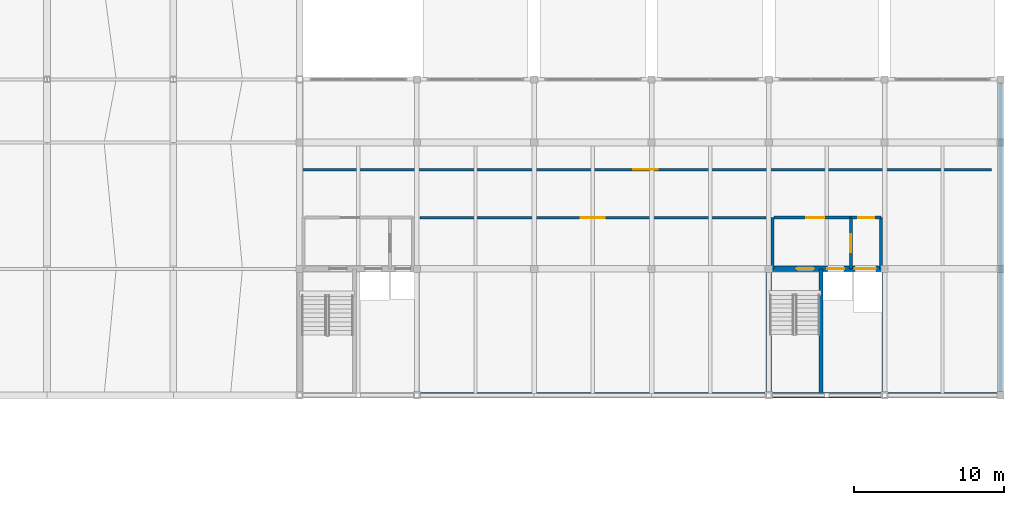
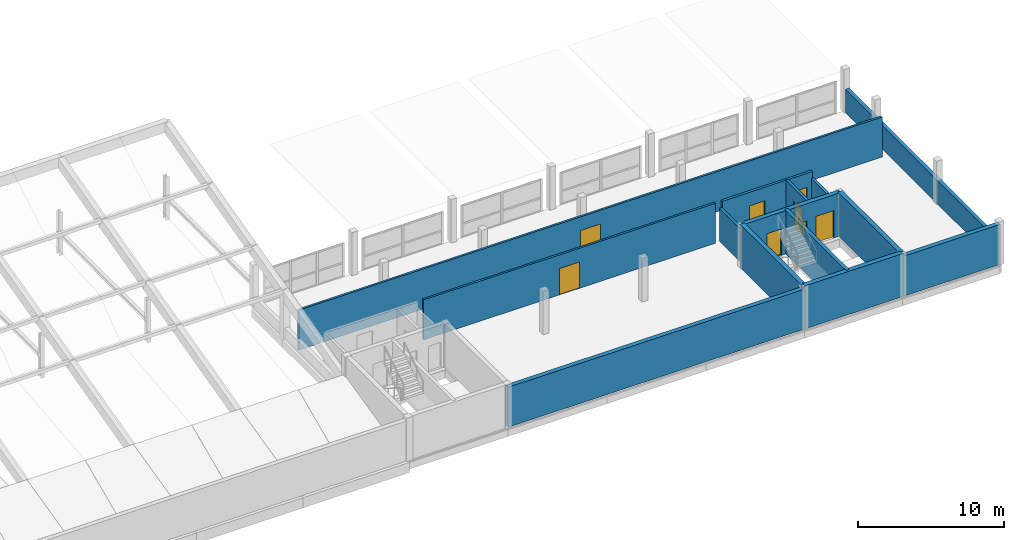
# One storey, part 43 of 51: 15 walls, 8 doors, 8 openings.
"""IFC4 building model written with IfcOpenShell, lengths in metres."""

import ifcopenshell
import ifcopenshell.guid

model = None  # the IFC model being written
_history = None  # IfcOwnerHistory: only IFC2X3 demands one
_inside = {}  # id of a spatial element -> (the spatial element, [elements in it])
_under = {}  # id of a project, library or spatial element -> (it, [spatial elements below it])
_declared = {}  # id of a project -> (the project, [libraries it declares])
_typed = {}  # id of a type object -> (the type object, [elements of that type])
_made_of = {}  # id of a material, layer set ... -> (it, [elements and type objects made of it])


def new_model(schema):
    """Start an empty IFC model of exactly this schema.

    Asked for "IFC4X3", IfcOpenShell would pick the latest addendum, in which some entities
    have other attributes; the version numbers below select the first issue.
    IFC2X3 requires an IfcOwnerHistory on every rooted entity: one is made here for all.
    """
    global model, _history
    if schema == "IFC4X3":
        model = ifcopenshell.file(schema_version=(4, 3, 0, 0))
    else:
        model = ifcopenshell.file(schema=schema)
    _inside.clear()
    _under.clear()
    _declared.clear()
    _typed.clear()
    _made_of.clear()
    _history = None
    if model.schema == "IFC2X3":
        org = make("IfcOrganization", Name="unknown")
        user = make(
            "IfcPersonAndOrganization",
            ThePerson=make("IfcPerson", FamilyName="unknown"),
            TheOrganization=org,
        )
        app = make(
            "IfcApplication",
            ApplicationDeveloper=org,
            Version="unknown",
            ApplicationFullName="unknown",
            ApplicationIdentifier="unknown",
        )
        _history = make(
            "IfcOwnerHistory",
            OwningUser=user,
            OwningApplication=app,
            ChangeAction="ADDED",
            CreationDate=0,
        )
    return model


def make(cls, **values):
    """One entity of the class cls with the attributes given. An attribute that is None is left unset."""
    return model.create_entity(
        cls, **{name: value for name, value in values.items() if value is not None}
    )


def rooted(cls, **values):
    """An entity with a GlobalId (a new one), such as an element, a storey or a relation."""
    return make(cls, GlobalId=ifcopenshell.guid.new(), OwnerHistory=_history, **values)


def si_unit(unit_type, name, prefix=None):
    """IfcSIUnit, for example si_unit("LENGTHUNIT", "METRE", prefix="MILLI")."""
    return make("IfcSIUnit", UnitType=unit_type, Prefix=prefix, Name=name)


def assignment(units):
    """IfcUnitAssignment: the units of a project."""
    return None if units is None else make("IfcUnitAssignment", Units=units)


def point(xyz):
    """IfcCartesianPoint."""
    return None if xyz is None else make("IfcCartesianPoint", Coordinates=xyz)


def direction(xyz):
    """IfcDirection."""
    return None if xyz is None else make("IfcDirection", DirectionRatios=xyz)


def frame(location, z_axis=None, x_axis=None):
    """IfcAxis2Placement3D, a coordinate frame: its origin and axes. An axis left out is left unset."""
    return make(
        "IfcAxis2Placement3D",
        Location=point(location),
        Axis=direction(z_axis),
        RefDirection=direction(x_axis),
    )


def frame_2d(location, x_axis=None):
    """IfcAxis2Placement2D, a coordinate frame in the plane: its origin and x axis."""
    return make(
        "IfcAxis2Placement2D", Location=point(location), RefDirection=direction(x_axis)
    )


def origin():
    """The frame at (0, 0, 0) with its axes left unset."""
    return frame((0.0, 0.0, 0.0))


def place(relative_to, where):
    """IfcLocalPlacement: puts the frame where relative to a parent placement (None: the world)."""
    return make(
        "IfcLocalPlacement", PlacementRelTo=relative_to, RelativePlacement=where
    )


def context(
    kind, dimensions, precision=None, world=None, true_north=None, identifier=None
):
    """IfcGeometricRepresentationContext, for example the 3D "Model" context."""
    return make(
        "IfcGeometricRepresentationContext",
        ContextIdentifier=identifier,
        ContextType=kind,
        CoordinateSpaceDimension=dimensions,
        Precision=precision,
        WorldCoordinateSystem=world,
        TrueNorth=true_north,
    )


def subcontext(parent, identifier, kind, view, scale=None):
    """IfcGeometricRepresentationSubContext, for example "Body" below "Model"."""
    return make(
        "IfcGeometricRepresentationSubContext",
        ContextIdentifier=identifier,
        ContextType=kind,
        ParentContext=parent,
        TargetScale=scale,
        TargetView=view,
    )


def project(units=None, contexts=None):
    """IfcProject with its units and contexts."""
    return rooted(
        "IfcProject",
        Name="project",
        RepresentationContexts=contexts,
        UnitsInContext=assignment(units),
    )


def spatial(cls, under=None, at=None, **own):
    """A site, building, storey or space (cls), placed at a placement, below another one or the project."""
    s = rooted(cls, ObjectPlacement=at, **own)
    if under is not None:
        _under.setdefault(under.id(), (under, []))[1].append(s)
    return s


def profile(cls, at=None, kind="AREA", **sizes):
    """A parametric profile (cls). Its sizes go by their IFC names, for example OverallWidth=200.0."""
    return make(cls, ProfileType=kind, Position=at, **sizes)


def rectangle(**sizes):
    """IfcRectangleProfileDef."""
    return profile("IfcRectangleProfileDef", **sizes)


def extrude(swept, where, along, depth):
    """IfcExtrudedAreaSolid: the profile swept, set in the frame where, extruded along a direction by depth."""
    return make(
        "IfcExtrudedAreaSolid",
        SweptArea=swept,
        Position=where,
        ExtrudedDirection=direction(along),
        Depth=depth,
    )


def shape(context_of_items, identifier, shape_type, items):
    """IfcShapeRepresentation: the items that make up one representation, for example the "Body"."""
    return make(
        "IfcShapeRepresentation",
        ContextOfItems=context_of_items,
        RepresentationIdentifier=identifier,
        RepresentationType=shape_type,
        Items=items,
    )


def material(Name=None, Category=None):
    """IfcMaterial."""
    return make("IfcMaterial", Name=Name, Category=Category)


def layer(
    of_material, thickness, ventilated=None, Name=None, Category=None, Priority=None
):
    """IfcMaterialLayer: one layer of a wall or slab, of a material (None: an air gap)."""
    return make(
        "IfcMaterialLayer",
        Material=of_material,
        LayerThickness=thickness,
        IsVentilated=ventilated,
        Name=Name,
        Category=Category,
        Priority=Priority,
    )


def layer_set(layers, Name=None):
    """IfcMaterialLayerSet."""
    return make("IfcMaterialLayerSet", MaterialLayers=layers, LayerSetName=Name)


def made_of(thing, what):
    """Note that an element or type object is made of a material, layer set ...; save() writes the relation."""
    if what is not None:
        _made_of.setdefault(what.id(), (what, []))[1].append(thing)
    return thing


def type_object(cls, material=None, **own):
    """A type object (cls), such as IfcWallType, which elements share."""
    return made_of(rooted(cls, **own), material)


def element(
    cls,
    number,
    at=None,
    inside=None,
    cuts=None,
    type_object=None,
    material=None,
    context=None,
    identifier="Body",
    shape_type=None,
    held_by="IfcProductDefinitionShape",
    body=None,
    shapes=None,
    **own,
):
    """One element of the class cls, such as IfcWall. Its Tag is "e" and its number.

    at: its placement. inside: the storey or other place that contains it. cuts: it is an
    opening in that element (IfcRelVoidsElement). A single representation is given by context,
    identifier, shape_type and body (its items); several are given by shapes. held_by: the class
    of the entity that holds the representations. save() writes the other relations.
    """
    e = rooted(cls, Tag="e%d" % number, ObjectPlacement=at, **own)
    if body is not None:
        shapes = [shape(context, identifier, shape_type, body)]
    if shapes is not None:
        e.Representation = make(held_by, Representations=shapes)
    if inside is not None:
        _inside.setdefault(inside.id(), (inside, []))[1].append(e)
    if cuts is not None:
        rooted(
            "IfcRelVoidsElement", RelatingBuildingElement=cuts, RelatedOpeningElement=e
        )
    if type_object is not None:
        _typed.setdefault(type_object.id(), (type_object, []))[1].append(e)
    return made_of(e, material)


def fill(opening, filler):
    """IfcRelFillsElement: the door or window that sits in an opening."""
    return rooted(
        "IfcRelFillsElement",
        RelatingOpeningElement=opening,
        RelatedBuildingElement=filler,
    )


def aggregate(whole, parts):
    """IfcRelAggregates: a whole, such as a stair, and the parts it consists of."""
    return rooted("IfcRelAggregates", RelatingObject=whole, RelatedObjects=parts)


def save(model, path):
    """Write the relations noted so far, then the file.

    IfcRelAggregates (storeys below a building ...), IfcRelContainedInSpatialStructure (elements
    in a storey), IfcRelDefinesByType, IfcRelAssociatesMaterial and IfcRelDeclares: one each for
    every whole, place, type object, material and project.
    """
    for whole, parts in _under.values():
        aggregate(whole, parts)
    for where, things in _inside.values():
        rooted(
            "IfcRelContainedInSpatialStructure",
            RelatedElements=things,
            RelatingStructure=where,
        )
    for kind, things in _typed.values():
        rooted("IfcRelDefinesByType", RelatedObjects=things, RelatingType=kind)
    for what, things in _made_of.values():
        rooted("IfcRelAssociatesMaterial", RelatedObjects=things, RelatingMaterial=what)
    for by, libraries in _declared.values():
        rooted("IfcRelDeclares", RelatingContext=by, RelatedDefinitions=libraries)
    model.write(path)


model = new_model("IFC4")

# Units and contexts
model_context = context("Model", 3, precision=1e-05, world=origin(), true_north=direction((0.0, 1.0)))
body_context = subcontext(model_context, "Body", "Model", "MODEL_VIEW")
ifc_project = project(units=[si_unit("LENGTHUNIT", "METRE"), si_unit("AREAUNIT", "SQUARE_METRE"), si_unit("VOLUMEUNIT", "CUBIC_METRE"), si_unit("PLANEANGLEUNIT", "RADIAN"), si_unit("MASSUNIT", "GRAM", prefix="KILO")], contexts=[model_context])

# Site, building, storey
site_placement = place(None, origin())
site = spatial("IfcSite", under=ifc_project, at=site_placement, CompositionType="ELEMENT")
building_placement = place(site_placement, origin())
building = spatial("IfcBuilding", under=site, at=building_placement, Name="Vharandega Faculty of Natural Sciences", CompositionType="ELEMENT")
storey_placement = place(building_placement, frame((0.0, 0.0, 18.0)))
storey = spatial("IfcBuildingStorey", under=building, at=storey_placement, Name="L04", CompositionType="ELEMENT", Elevation=18.0)

# Walls
ifc_material_1 = material(Name="Concrete C40/50", Category="concrete")
ifc_layer_1 = layer(ifc_material_1, 0.35009765625, Name="Concrete C40/50")
ifc_layer_set_1 = layer_set([ifc_layer_1], Name="Concrete C40/50")
wall_type_1 = type_object("IfcWallType", Name="Core Shear Wall 350", PredefinedType="SHEAR", material=ifc_layer_set_1)
wall_1_placement = place(storey_placement, frame((146.0, 64.0, 0.0), z_axis=(0.0, 0.0, 1.0), x_axis=(1.0, 0.0, 0.0)))
element("IfcWall", 1, at=wall_1_placement, inside=storey, type_object=wall_type_1, Name="Interior Wall CW-C2-L04-S", PredefinedType="SHEAR", context=body_context, shape_type="SweptSolid", body=[
    extrude(rectangle(XDim=7.699951171875, YDim=0.35009765625, at=frame_2d((3.85009765625, 0.0))), origin(), (0.0, 0.0, 1.0), 3.60009765625),
])
for number, where, z_axis, x_axis, name in (
    (2, (146.0, 64.0, 0.0), (0.0, 0.0, 1.0), (0.0, 1.0, 0.0), "Interior Wall CW-C2-L04-W"),
    (3, (153.699951171875, 64.0, 0.0), (0.0, 0.0, 1.0), (0.0, 1.0, 0.0), "Interior Wall CW-C2-L04-E"),
):
    element("IfcWall", number, at=place(storey_placement, frame(where, z_axis=z_axis, x_axis=x_axis)), inside=storey, type_object=wall_type_1, Name=name, PredefinedType="SHEAR", context=body_context, shape_type="SweptSolid", body=[
        extrude(rectangle(XDim=8.39990234375, YDim=0.35009765625, at=frame_2d((4.199951171875, 0.0))), origin(), (0.0, 0.0, 1.0), 3.60009765625),
    ])

# Wall, openings, doors
wall_2_placement = place(storey_placement, frame((146.0, 72.39990234375, 0.0), z_axis=(0.0, 0.0, 1.0), x_axis=(1.0, 0.0, 0.0)))
wall_2 = element("IfcWall", 4, at=wall_2_placement, inside=storey, type_object=wall_type_1, Name="Interior Wall CW-C2-L04-N", PredefinedType="SHEAR", context=body_context, shape_type="SweptSolid", body=[
    extrude(rectangle(XDim=7.699951171875, YDim=0.35009765625, at=frame_2d((3.85009765625, 0.0))), origin(), (0.0, 0.0, 1.0), 3.60009765625),
])
opening_1_placement = place(wall_2_placement, frame((1.85009765625, 0.0, 0.0)))
opening_1 = element("IfcOpeningElement", 5, at=opening_1_placement, cuts=wall_2, Name="Opening FD1", PredefinedType="OPENING", context=body_context, shape_type="SweptSolid", body=[
    extrude(rectangle(XDim=1.14990234375, YDim=2.199951171875, at=frame_2d((0.574951171875, 1.10009765625))), frame((0.0, 0.18505859375, 0.0), z_axis=(0.0, -1.0, 0.0), x_axis=(1.0, 0.0, 0.0)), (0.0, 0.0, 1.0), 0.3701171875),
])
opening_2_placement = place(wall_2_placement, frame((3.89990234375, 0.0, 0.0)))
opening_2 = element("IfcOpeningElement", 6, at=opening_2_placement, cuts=wall_2, Name="Opening LD-FL2-L04", PredefinedType="OPENING", context=body_context, shape_type="SweptSolid", body=[
    extrude(rectangle(XDim=1.10009765625, YDim=2.14990234375, at=frame_2d((0.550048828125, 1.074951171875))), frame((0.0, 0.18505859375, 0.0), z_axis=(0.0, -1.0, 0.0), x_axis=(1.0, 0.0, 0.0)), (0.0, 0.0, 1.0), 0.3701171875),
])
opening_3_placement = place(wall_2_placement, frame((5.719970703125, 0.0, 0.0)))
opening_3 = element("IfcOpeningElement", 7, at=opening_3_placement, cuts=wall_2, Name="Opening LD-LG1-L04", PredefinedType="OPENING", context=body_context, shape_type="SweptSolid", body=[
    extrude(rectangle(XDim=1.39990234375, YDim=2.300048828125, at=frame_2d((0.699951171875, 1.14990234375))), frame((0.0, 0.18505859375, 0.0), z_axis=(0.0, -1.0, 0.0), x_axis=(1.0, 0.0, 0.0)), (0.0, 0.0, 1.0), 0.3701171875),
])
ifc_material_2 = material(Name="Solid-core hardwood timber fire door", Category="wood")
door_type_1 = type_object("IfcDoorType", Name="FD1-STAIR-1150x2200", OperationType="NOTDEFINED", PredefinedType="DOOR", material=ifc_material_2)
door_1_placement = place(opening_1_placement, origin())
door_1 = element("IfcDoor", 8, at=door_1_placement, inside=storey, type_object=door_type_1, Name="Stair ST2 Fire Door FD1", OperationType="SINGLE_SWING_LEFT", OverallHeight=2.199951171875, OverallWidth=1.14990234375, PredefinedType="DOOR", context=body_context, shape_type="SweptSolid", body=[
    extrude(rectangle(XDim=1.14990234375, YDim=2.199951171875, at=frame_2d((0.574951171875, 1.10009765625))), frame((0.0, 0.02490234375, 0.0), z_axis=(0.0, -1.0, 0.0), x_axis=(1.0, 0.0, 0.0)), (0.0, 0.0, 1.0), 0.050048828125),
])
fill(opening_1, door_1)
ifc_material_3 = material(Name="Brushed stainless steel sliding landing door", Category="steel")
door_type_2 = type_object("IfcDoorType", Name="LD1-FFLIFT-SLIDING-1100x2150", OperationType="DOUBLE_DOOR_SLIDING", PredefinedType="DOOR", material=ifc_material_3)
door_2_placement = place(opening_2_placement, origin())
door_2 = element("IfcDoor", 9, at=door_2_placement, inside=storey, type_object=door_type_2, Name="Lift Landing Door LD-FL2-L04", OperationType="DOUBLE_DOOR_SLIDING", OverallHeight=2.14990234375, OverallWidth=1.10009765625, PredefinedType="DOOR", context=body_context, shape_type="SweptSolid", body=[
    extrude(rectangle(XDim=1.10009765625, YDim=2.14990234375, at=frame_2d((0.550048828125, 1.074951171875))), frame((0.0, 0.02490234375, 0.0), z_axis=(0.0, -1.0, 0.0), x_axis=(1.0, 0.0, 0.0)), (0.0, 0.0, 1.0), 0.050048828125),
])
fill(opening_2, door_2)
ifc_material_4 = material(Name="Brushed stainless steel sliding landing door", Category="steel")
door_type_3 = type_object("IfcDoorType", Name="LD3-GOODSLIFT-SLIDING-1400x2300", OperationType="DOUBLE_DOOR_SLIDING", PredefinedType="DOOR", material=ifc_material_4)
door_3_placement = place(opening_3_placement, origin())
door_3 = element("IfcDoor", 10, at=door_3_placement, inside=storey, type_object=door_type_3, Name="Lift Landing Door LD-LG1-L04", OperationType="DOUBLE_DOOR_SLIDING", OverallHeight=2.300048828125, OverallWidth=1.39990234375, PredefinedType="DOOR", context=body_context, shape_type="SweptSolid", body=[
    extrude(rectangle(XDim=1.39990234375, YDim=2.300048828125, at=frame_2d((0.699951171875, 1.14990234375))), frame((0.0, 0.02490234375, 0.0), z_axis=(0.0, -1.0, 0.0), x_axis=(1.0, 0.0, 0.0)), (0.0, 0.0, 1.0), 0.050048828125),
])
fill(opening_3, door_3)

# Wall, opening, door
ifc_material_5 = material(Name="Concrete C40/50", Category="concrete")
ifc_layer_2 = layer(ifc_material_5, 0.199951171875, Name="Concrete C40/50")
ifc_layer_set_2 = layer_set([ifc_layer_2], Name="Concrete C40/50")
wall_type_2 = type_object("IfcWallType", Name="Firefighting Lobby Wall 200", PredefinedType="PARTITIONING", material=ifc_layer_set_2)
wall_3_placement = place(storey_placement, frame((146.35009765625, 75.800048828125, 0.0), z_axis=(0.0, 0.0, 1.0), x_axis=(1.0, 0.0, 0.0)))
wall_3 = element("IfcWall", 11, at=wall_3_placement, inside=storey, type_object=wall_type_2, Name="Interior Wall PW-FFL-C2-L04-N", PredefinedType="PARTITIONING", context=body_context, shape_type="SweptSolid", body=[
    extrude(rectangle(XDim=5.099853515625, YDim=0.199951171875, at=frame_2d((2.5498046875, 0.0))), origin(), (0.0, 0.0, 1.0), 3.320068359375),
])
opening_4_placement = place(wall_3_placement, frame((2.125, 0.0, 0.0)))
opening_4 = element("IfcOpeningElement", 12, at=opening_4_placement, cuts=wall_3, Name="Opening FD2", PredefinedType="OPENING", context=body_context, shape_type="SweptSolid", body=[
    extrude(rectangle(XDim=1.199951171875, YDim=2.199951171875, at=frame_2d((0.60009765625, 1.10009765625))), frame((0.0, 0.10986328125, 0.0), z_axis=(0.0, -1.0, 0.0), x_axis=(1.0, 0.0, 0.0)), (0.0, 0.0, 1.0), 0.219970703125),
])
ifc_material_6 = material(Name="Solid-core hardwood timber fire door", Category="wood")
door_type_4 = type_object("IfcDoorType", Name="FD2-FFLOBBY-1200x2200", OperationType="NOTDEFINED", PredefinedType="DOOR", material=ifc_material_6)
door_4_placement = place(opening_4_placement, origin())
door_4 = element("IfcDoor", 13, at=door_4_placement, inside=storey, type_object=door_type_4, Name="Firefighting Lobby C2 Door FD2", OperationType="SINGLE_SWING_RIGHT", OverallHeight=2.199951171875, OverallWidth=1.199951171875, PredefinedType="DOOR", context=body_context, shape_type="SweptSolid", body=[
    extrude(rectangle(XDim=1.199951171875, YDim=2.199951171875, at=frame_2d((0.60009765625, 1.10009765625))), frame((0.0, 0.02490234375, 0.0), z_axis=(0.0, -1.0, 0.0), x_axis=(1.0, 0.0, 0.0)), (0.0, 0.0, 1.0), 0.050048828125),
])
fill(opening_4, door_4)

# Wall
wall_4_placement = place(storey_placement, frame((146.25, 72.39990234375, 0.0), z_axis=(0.0, 0.0, 1.0), x_axis=(0.0, 1.0, 0.0)))
element("IfcWall", 14, at=wall_4_placement, inside=storey, type_object=wall_type_2, Name="Interior Wall PW-FFL-C2-L04-W", PredefinedType="PARTITIONING", context=body_context, shape_type="SweptSolid", body=[
    extrude(rectangle(XDim=3.400146484375, YDim=0.199951171875, at=frame_2d((1.7001953125, 0.0))), origin(), (0.0, 0.0, 1.0), 2.760009765625),
])

# Wall, opening, door
wall_5_placement = place(storey_placement, frame((151.449951171875, 72.39990234375, 0.0), z_axis=(0.0, 0.0, 1.0), x_axis=(0.0, 1.0, 0.0)))
wall_5 = element("IfcWall", 15, at=wall_5_placement, inside=storey, type_object=wall_type_2, Name="Interior Wall PW-FFL-C2-L04-E", PredefinedType="PARTITIONING", context=body_context, shape_type="SweptSolid", body=[
    extrude(rectangle(XDim=3.400146484375, YDim=0.199951171875, at=frame_2d((1.7001953125, 0.0))), origin(), (0.0, 0.0, 1.0), 3.320068359375),
])
opening_5_placement = place(wall_5_placement, frame((1.10009765625, 0.0, 0.0)))
opening_5 = element("IfcOpeningElement", 16, at=opening_5_placement, cuts=wall_5, Name="Opening FD2", PredefinedType="OPENING", context=body_context, shape_type="SweptSolid", body=[
    extrude(rectangle(XDim=1.199951171875, YDim=2.199951171875, at=frame_2d((0.60009765625, 1.10009765625))), frame((0.0, 0.10986328125, 0.0), z_axis=(0.0, -1.0, 0.0), x_axis=(1.0, 0.0, 0.0)), (0.0, 0.0, 1.0), 0.219970703125),
])
door_5_placement = place(opening_5_placement, origin())
door_5 = element("IfcDoor", 17, at=door_5_placement, inside=storey, type_object=door_type_4, Name="Lobby Interconnect C2 Door FD2", OperationType="SINGLE_SWING_LEFT", OverallHeight=2.199951171875, OverallWidth=1.199951171875, PredefinedType="DOOR", context=body_context, shape_type="SweptSolid", body=[
    extrude(rectangle(XDim=1.199951171875, YDim=2.199951171875, at=frame_2d((0.60009765625, 1.10009765625))), frame((0.0, 0.02490234375, 0.0), z_axis=(0.0, -1.0, 0.0), x_axis=(1.0, 0.0, 0.0)), (0.0, 0.0, 1.0), 0.050048828125),
])
fill(opening_5, door_5)

wall_6_placement = place(storey_placement, frame((151.449951171875, 75.800048828125, 0.0), z_axis=(0.0, 0.0, 1.0), x_axis=(1.0, 0.0, 0.0)))
wall_6 = element("IfcWall", 18, at=wall_6_placement, inside=storey, type_object=wall_type_2, Name="Interior Wall PW-LL-C2-L04-N", PredefinedType="PARTITIONING", context=body_context, shape_type="SweptSolid", body=[
    extrude(rectangle(XDim=2.0, YDim=0.199951171875, at=frame_2d((1.0, 0.0))), origin(), (0.0, 0.0, 1.0), 3.320068359375),
])
opening_6_placement = place(wall_6_placement, frame((0.5, 0.0, 0.0)))
opening_6 = element("IfcOpeningElement", 19, at=opening_6_placement, cuts=wall_6, Name="Opening FD4", PredefinedType="OPENING", context=body_context, shape_type="SweptSolid", body=[
    extrude(rectangle(XDim=1.050048828125, YDim=2.14990234375, at=frame_2d((0.52490234375, 1.074951171875))), frame((0.0, 0.10986328125, 0.0), z_axis=(0.0, -1.0, 0.0), x_axis=(1.0, 0.0, 0.0)), (0.0, 0.0, 1.0), 0.219970703125),
])
ifc_material_7 = material(Name="Solid-core hardwood timber fire door", Category="wood")
door_type_5 = type_object("IfcDoorType", Name="FD4-LAB-SGL-1050x2150", OperationType="NOTDEFINED", PredefinedType="DOOR", material=ifc_material_7)
door_6_placement = place(opening_6_placement, origin())
door_6 = element("IfcDoor", 20, at=door_6_placement, inside=storey, type_object=door_type_5, Name="Lift Lobby C2 Door FD4", OperationType="SINGLE_SWING_RIGHT", OverallHeight=2.14990234375, OverallWidth=1.050048828125, PredefinedType="DOOR", context=body_context, shape_type="SweptSolid", body=[
    extrude(rectangle(XDim=1.050048828125, YDim=2.14990234375, at=frame_2d((0.52490234375, 1.074951171875))), frame((0.0, 0.02490234375, 0.0), z_axis=(0.0, -1.0, 0.0), x_axis=(1.0, 0.0, 0.0)), (0.0, 0.0, 1.0), 0.050048828125),
])
fill(opening_6, door_6)

# Walls
wall_7_placement = place(storey_placement, frame((153.449951171875, 72.39990234375, 0.0), z_axis=(0.0, 0.0, 1.0), x_axis=(0.0, 1.0, 0.0)))
element("IfcWall", 21, at=wall_7_placement, inside=storey, type_object=wall_type_2, Name="Interior Wall PW-LL-C2-L04-E", PredefinedType="PARTITIONING", context=body_context, shape_type="SweptSolid", body=[
    extrude(rectangle(XDim=3.400146484375, YDim=0.199951171875, at=frame_2d((1.7001953125, 0.0))), origin(), (0.0, 0.0, 1.0), 2.760009765625),
])
ifc_material_8 = material(Name="Granite ashlar masonry 25 MPa", Category="masonry")
ifc_layer_3 = layer(ifc_material_8, 0.340087890625, Name="Granite ashlar masonry 25 MPa")
ifc_layer_set_3 = layer_set([ifc_layer_3], Name="Granite ashlar masonry 25 MPa")
wall_type_3 = type_object("IfcWallType", Name="Imperforate Party Wall 340", PredefinedType="SOLIDWALL", material=ifc_layer_set_3)
wall_8_placement = place(storey_placement, frame((146.0, 64.0, 0.0), z_axis=(0.0, 0.0, 1.0), x_axis=(-1.0, 0.0, 0.0)))
element("IfcWall", 22, at=wall_8_placement, inside=storey, type_object=wall_type_3, Name="Exterior Wall EW-PTY-L04-J2A", PredefinedType="SOLIDWALL", context=body_context, shape_type="SweptSolid", body=[
    extrude(rectangle(XDim=23.39990234375, YDim=0.340087890625, at=frame_2d((11.699951171875, 0.0))), origin(), (0.0, 0.0, 1.0), 3.340087890625),
])
wall_9_placement = place(storey_placement, frame((161.39990234375, 64.0, 0.0), z_axis=(0.0, 0.0, 1.0), x_axis=(-1.0, 0.0, 0.0)))
element("IfcWall", 23, at=wall_9_placement, inside=storey, type_object=wall_type_3, Name="Exterior Wall EW-PTY-L04-J2B", PredefinedType="SOLIDWALL", context=body_context, shape_type="SweptSolid", body=[
    extrude(rectangle(XDim=7.699951171875, YDim=0.340087890625, at=frame_2d((3.85009765625, 0.0))), origin(), (0.0, 0.0, 1.0), 3.340087890625),
])

# Wall, opening, door
ifc_material_9 = material(Name="Gypsum fire-board on steel stud", Category="steel")
ifc_layer_4 = layer(ifc_material_9, 0.159912109375, Name="Gypsum fire-board on steel stud")
ifc_layer_set_4 = layer_set([ifc_layer_4], Name="Gypsum fire-board on steel stud")
wall_type_4 = type_object("IfcWallType", Name="Laboratory Fire Corridor Wall 160", PredefinedType="PARTITIONING", material=ifc_layer_set_4)
wall_10_placement = place(storey_placement, frame((122.800048828125, 75.800048828125, 0.0), z_axis=(0.0, 0.0, 1.0), x_axis=(1.0, 0.0, 0.0)))
wall_10 = element("IfcWall", 24, at=wall_10_placement, inside=storey, type_object=wall_type_4, Name="Interior Wall PW-L04-R09N", PredefinedType="PARTITIONING", context=body_context, shape_type="SweptSolid", body=[
    extrude(rectangle(XDim=23.0, YDim=0.159912109375, at=frame_2d((11.5, 0.0))), origin(), (0.0, 0.0, 1.0), 3.340087890625),
])
opening_7_placement = place(wall_10_placement, frame((10.699951171875, 0.0, 0.0)))
opening_7 = element("IfcOpeningElement", 25, at=opening_7_placement, cuts=wall_10, Name="Opening FD3", PredefinedType="OPENING", context=body_context, shape_type="SweptSolid", body=[
    extrude(rectangle(XDim=1.60009765625, YDim=2.199951171875, at=frame_2d((0.800048828125, 1.10009765625))), frame((0.0, 0.08984375, 0.0), z_axis=(0.0, -1.0, 0.0), x_axis=(1.0, 0.0, 0.0)), (0.0, 0.0, 1.0), 0.179931640625),
])
ifc_material_10 = material(Name="Solid-core hardwood timber fire door", Category="wood")
door_type_6 = type_object("IfcDoorType", Name="FD3-LAB-DBL-1600x2200", OperationType="DOUBLE_DOOR_SINGLE_SWING", PredefinedType="DOOR", material=ifc_material_10)
door_7_placement = place(opening_7_placement, origin())
door_7 = element("IfcDoor", 26, at=door_7_placement, inside=storey, type_object=door_type_6, Name="Molecular Biology Research Laboratory Door FD3", OperationType="DOUBLE_DOOR_SINGLE_SWING", OverallHeight=2.199951171875, OverallWidth=1.60009765625, PredefinedType="DOOR", context=body_context, shape_type="SweptSolid", body=[
    extrude(rectangle(XDim=1.60009765625, YDim=2.199951171875, at=frame_2d((0.800048828125, 1.10009765625))), frame((0.0, 0.02490234375, 0.0), z_axis=(0.0, -1.0, 0.0), x_axis=(1.0, 0.0, 0.0)), (0.0, 0.0, 1.0), 0.050048828125),
])
fill(opening_7, door_7)

wall_11_placement = place(storey_placement, frame((114.800048828125, 79.0, 0.0), z_axis=(0.0, 0.0, 1.0), x_axis=(1.0, 0.0, 0.0)))
wall_11 = element("IfcWall", 27, at=wall_11_placement, inside=storey, type_object=wall_type_4, Name="Interior Wall PW-L04-R10S", PredefinedType="PARTITIONING", context=body_context, shape_type="SweptSolid", body=[
    extrude(rectangle(XDim=46.0, YDim=0.159912109375, at=frame_2d((23.0, 0.0))), origin(), (0.0, 0.0, 1.0), 3.340087890625),
])
opening_8_placement = place(wall_11_placement, frame((22.199951171875, 0.0, 0.0)))
opening_8 = element("IfcOpeningElement", 28, at=opening_8_placement, cuts=wall_11, Name="Opening FD3", PredefinedType="OPENING", context=body_context, shape_type="SweptSolid", body=[
    extrude(rectangle(XDim=1.60009765625, YDim=2.199951171875, at=frame_2d((0.800048828125, 1.10009765625))), frame((0.0, 0.08984375, 0.0), z_axis=(0.0, -1.0, 0.0), x_axis=(1.0, 0.0, 0.0)), (0.0, 0.0, 1.0), 0.179931640625),
])
door_8_placement = place(opening_8_placement, origin())
door_8 = element("IfcDoor", 29, at=door_8_placement, inside=storey, type_object=door_type_6, Name="Recessed Glazed Spectroscopy Instrumentation Suite Door FD3", OperationType="DOUBLE_DOOR_SINGLE_SWING", OverallHeight=2.199951171875, OverallWidth=1.60009765625, PredefinedType="DOOR", context=body_context, shape_type="SweptSolid", body=[
    extrude(rectangle(XDim=1.60009765625, YDim=2.199951171875, at=frame_2d((0.800048828125, 1.10009765625))), frame((0.0, 0.02490234375, 0.0), z_axis=(0.0, -1.0, 0.0), x_axis=(1.0, 0.0, 0.0)), (0.0, 0.0, 1.0), 0.050048828125),
])
fill(opening_8, door_8)

# Walls
ifc_material_11 = material(Name="Concrete C40/50", Category="concrete")
ifc_layer_5 = layer(ifc_material_11, 0.260009765625, Name="Concrete C40/50")
ifc_layer_set_5 = layer_set([ifc_layer_5], Name="Concrete C40/50")
wall_type_5 = type_object("IfcWallType", Name="Lift Shaft Shear Wall 260", PredefinedType="SHEAR", material=ifc_layer_set_5)
wall_12_placement = place(storey_placement, frame((149.4599609375, 64.0, 0.0), z_axis=(0.0, 0.0, 1.0), x_axis=(0.0, 1.0, 0.0)))
element("IfcWall", 30, at=wall_12_placement, inside=storey, type_object=wall_type_5, Name="Interior Wall CW-C2-L04-DIV", PredefinedType="SHEAR", context=body_context, shape_type="SweptSolid", body=[
    extrude(rectangle(XDim=8.39990234375, YDim=0.260009765625, at=frame_2d((4.199951171875, 0.0))), origin(), (0.0, 0.0, 1.0), 3.60009765625),
])
ifc_material_12 = material(Name="Precast concrete C40/50", Category="concrete")
ifc_layer_6 = layer(ifc_material_12, 0.280029296875, Name="Precast concrete C40/50")
ifc_layer_set_6 = layer_set([ifc_layer_6], Name="Precast concrete C40/50")
wall_type_6 = type_object("IfcWallType", Name="White Precast End Wall 280", PredefinedType="SOLIDWALL", material=ifc_layer_set_6)
wall_13_placement = place(storey_placement, frame((161.39990234375, 84.761962890625, 0.0), z_axis=(0.0, 0.0, 1.0), x_axis=(0.0, -1.0, 0.0)))
element("IfcWall", 31, at=wall_13_placement, inside=storey, type_object=wall_type_6, Name="Exterior Wall EW-L04-V4E", PredefinedType="SOLIDWALL", context=body_context, shape_type="SweptSolid", body=[
    extrude(rectangle(XDim=20.52392578125, YDim=0.280029296875, at=frame_2d((10.261962890625, 0.0))), origin(), (0.0, 0.0, 1.0), 1.9599609375),
])

save(model, "model.ifc")
